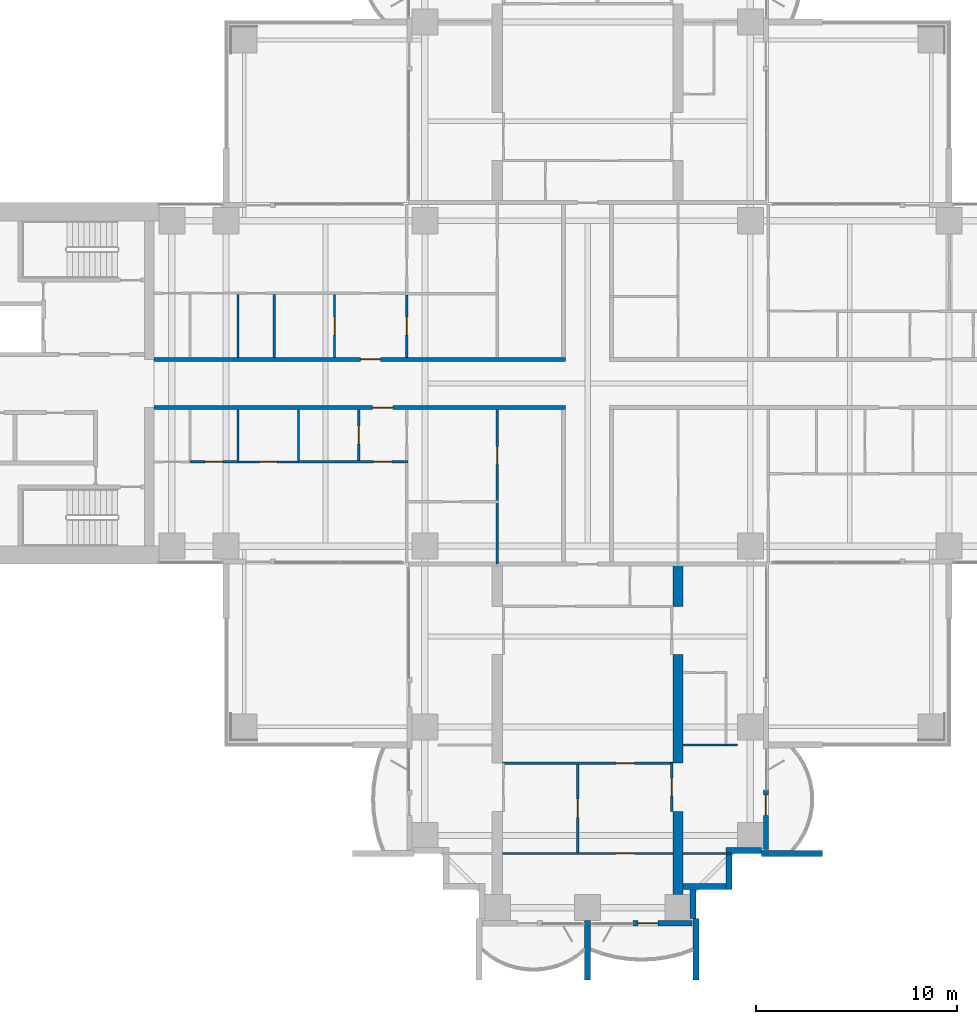
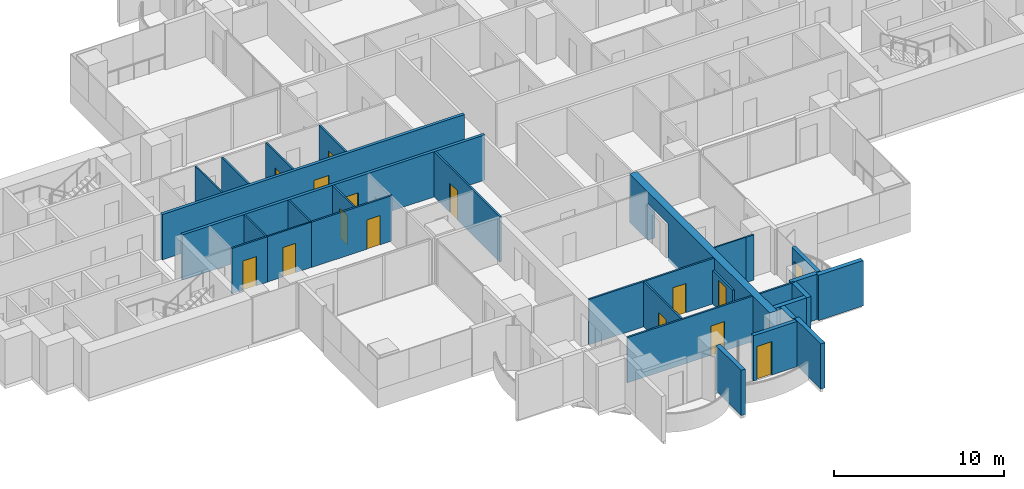
# One storey, part 11 of 20: 30 walls, 15 doors, 15 openings.
"""IFC4 building model written with IfcOpenShell, lengths in metres."""

from ifc_helpers import new_model, si_unit, direction, frame, frame_2d, origin, place, context, subcontext, project, spatial, polyline, rectangle, outline, extrude, material, layer, layer_set, material_profile, profile_set, type_object, element, fill, save


model = new_model("IFC4")

# Units and contexts
model_context = context("Model", 3, precision=1e-05, world=origin(), true_north=direction((0.0, 1.0)))
body_context = subcontext(model_context, "Body", "Model", "MODEL_VIEW")
ifc_project = project(units=[si_unit("LENGTHUNIT", "METRE"), si_unit("AREAUNIT", "SQUARE_METRE"), si_unit("VOLUMEUNIT", "CUBIC_METRE"), si_unit("PLANEANGLEUNIT", "RADIAN"), si_unit("MASSUNIT", "GRAM", prefix="KILO")], contexts=[model_context])

# Site, building, storey
site_placement = place(None, origin())
site = spatial("IfcSite", under=ifc_project, at=site_placement, CompositionType="ELEMENT")
building_placement = place(site_placement, origin())
building = spatial("IfcBuilding", under=site, at=building_placement, Name="Perihelion Cross Residences", CompositionType="ELEMENT")
storey_placement = place(building_placement, frame((0.0, 0.0, 68.0)))
storey = spatial("IfcBuildingStorey", under=building, at=storey_placement, Name="L14", CompositionType="ELEMENT", Elevation=68.0)

# Wall, opening, door
ifc_material_1 = material(Name="Plasterboard partition")
ifc_layer_1 = layer(ifc_material_1, 0.199951171875)
ifc_layer_set_1 = layer_set([ifc_layer_1], Name="Apartment separation wall 200")
wall_type_1 = type_object("IfcWallType", Name="Apartment separation wall 200", PredefinedType="PARTITIONING", material=ifc_layer_set_1)
wall_1_placement = place(storey_placement, frame((-21.60009765625, 1.199951171875, 0.0), z_axis=(0.0, 0.0, 1.0), x_axis=(1.0, 0.0, 0.0)))
wall_1 = element("IfcWall", 1, at=wall_1_placement, inside=storey, type_object=wall_type_1, Name="Partition L14 W005", PredefinedType="PARTITIONING", context=body_context, shape_type="SweptSolid", body=[
    extrude(rectangle(XDim=20.5, YDim=0.199951171875, at=frame_2d((10.25, 0.0))), origin(), (0.0, 0.0, 1.0), 3.25),
])
opening_1_placement = place(wall_1_placement, frame((10.300048828125, 0.0, 0.0)))
opening_1 = element("IfcOpeningElement", 2, at=opening_1_placement, cuts=wall_1, Name="Opening L14.A48", PredefinedType="OPENING", context=body_context, shape_type="SweptSolid", body=[
    extrude(rectangle(XDim=1.0, YDim=2.10009765625, at=frame_2d((0.5, 1.050048828125))), frame((0.0, 0.10986328125, 0.0), z_axis=(0.0, -1.0, 0.0), x_axis=(1.0, 0.0, 0.0)), (0.0, 0.0, 1.0), 0.219970703125),
])
ifc_material_2 = material(Name="Timber door leaf", Category="wood")
door_type_1 = type_object("IfcDoorType", Name="Flat entrance door 1000 x 2100", OperationType="SINGLE_SWING_LEFT", PredefinedType="DOOR", material=ifc_material_2)
door_1_placement = place(opening_1_placement, origin())
door_1 = element("IfcDoor", 3, at=door_1_placement, inside=storey, type_object=door_type_1, Name="Door L14.A48", OperationType="SINGLE_SWING_RIGHT", OverallHeight=2.10009765625, OverallWidth=1.0, PredefinedType="DOOR", context=body_context, shape_type="SweptSolid", body=[
    extrude(rectangle(XDim=1.0, YDim=2.10009765625, at=frame_2d((0.5, 1.050048828125))), frame((0.0, 0.02490234375, 0.0), z_axis=(0.0, -1.0, 0.0), x_axis=(1.0, 0.0, 0.0)), (0.0, 0.0, 1.0), 0.050048828125),
])
fill(opening_1, door_1)

wall_2_placement = place(storey_placement, frame((-1.10009765625, -1.199951171875, 0.0), z_axis=(0.0, 0.0, 1.0), x_axis=(-1.0, 0.0, 0.0)))
wall_2 = element("IfcWall", 4, at=wall_2_placement, inside=storey, type_object=wall_type_1, Name="Partition L14 W007", PredefinedType="PARTITIONING", context=body_context, shape_type="SweptSolid", body=[
    extrude(rectangle(XDim=20.5, YDim=0.199951171875, at=frame_2d((10.25, 0.0))), origin(), (0.0, 0.0, 1.0), 3.25),
])
opening_2_placement = place(wall_2_placement, frame((8.60009765625, 0.0, 0.0)))
opening_2 = element("IfcOpeningElement", 5, at=opening_2_placement, cuts=wall_2, Name="Opening L14.A49", PredefinedType="OPENING", context=body_context, shape_type="SweptSolid", body=[
    extrude(rectangle(XDim=1.0, YDim=2.10009765625, at=frame_2d((0.5, 1.050048828125))), frame((0.0, 0.10986328125, 0.0), z_axis=(0.0, -1.0, 0.0), x_axis=(1.0, 0.0, 0.0)), (0.0, 0.0, 1.0), 0.219970703125),
])
door_2_placement = place(opening_2_placement, origin())
door_2 = element("IfcDoor", 6, at=door_2_placement, inside=storey, type_object=door_type_1, Name="Door L14.A49", OperationType="SINGLE_SWING_LEFT", OverallHeight=2.10009765625, OverallWidth=1.0, PredefinedType="DOOR", context=body_context, shape_type="SweptSolid", body=[
    extrude(rectangle(XDim=1.0, YDim=2.10009765625, at=frame_2d((0.5, 1.050048828125))), frame((0.0, 0.02490234375, 0.0), z_axis=(0.0, -1.0, 0.0), x_axis=(1.0, 0.0, 0.0)), (0.0, 0.0, 1.0), 0.050048828125),
])
fill(opening_2, door_2)

ifc_material_3 = material(Name="Concrete C30/37, bronze-clad", Category="concrete")
ifc_layer_2 = layer(ifc_material_3, 0.25)
ifc_layer_set_2 = layer_set([ifc_layer_2], Name="Bronze-clad pier wall 250")
wall_type_2 = type_object("IfcWallType", Name="Bronze-clad pier wall 250", PredefinedType="SOLIDWALL", material=ifc_layer_set_2)
wall_3_placement = place(storey_placement, frame((2.25, -26.875, 0.0), z_axis=(0.0, 0.0, 1.0), x_axis=(1.0, 0.0, 0.0)))
wall_3 = element("IfcWall", 7, at=wall_3_placement, inside=storey, type_object=wall_type_2, Name="Wall FW1 L14 south tip south bay 2 pier", PredefinedType="SOLIDWALL", context=body_context, shape_type="SweptSolid", body=[
    extrude(rectangle(XDim=2.949951171875, YDim=0.25, at=frame_2d((1.47509765625, 0.0))), origin(), (0.0, 0.0, 1.0), 3.25),
])
opening_3_placement = place(wall_3_placement, frame((0.25, 0.0, 0.0)))
opening_3 = element("IfcOpeningElement", 8, at=opening_3_placement, cuts=wall_3, Name="Opening L14.E13", PredefinedType="OPENING", context=body_context, shape_type="SweptSolid", body=[
    extrude(rectangle(XDim=1.0, YDim=2.39990234375, at=frame_2d((0.5, 1.199951171875))), frame((0.0, 0.135009765625, 0.0), z_axis=(0.0, -1.0, 0.0), x_axis=(1.0, 0.0, 0.0)), (0.0, 0.0, 1.0), 0.27001953125),
])
ifc_material_4 = material(Name="Bronze anodised aluminium, glazed", Category="aluminium")
door_type_2 = type_object("IfcDoorType", Name="Balcony door 1000 x 2400", OperationType="NOTDEFINED", PredefinedType="DOOR", material=ifc_material_4)
door_3_placement = place(opening_3_placement, origin())
door_3 = element("IfcDoor", 9, at=door_3_placement, inside=storey, type_object=door_type_2, Name="Door L14.E13 south tip south bay 2", OperationType="SINGLE_SWING_RIGHT", OverallHeight=2.39990234375, OverallWidth=1.0, PredefinedType="DOOR", context=body_context, shape_type="SweptSolid", body=[
    extrude(rectangle(XDim=1.0, YDim=2.39990234375, at=frame_2d((0.5, 1.199951171875))), frame((0.0, 0.02490234375, 0.0), z_axis=(0.0, -1.0, 0.0), x_axis=(1.0, 0.0, 0.0)), (0.0, 0.0, 1.0), 0.050048828125),
])
fill(opening_3, door_3)

wall_4_placement = place(storey_placement, frame((8.875, -23.199951171875, 0.0), z_axis=(0.0, 0.0, 1.0), x_axis=(0.0, 1.0, 0.0)))
wall_4 = element("IfcWall", 10, at=wall_4_placement, inside=storey, type_object=wall_type_2, Name="Wall FW1 L14 south side east bay 1 pier", PredefinedType="SOLIDWALL", context=body_context, shape_type="SweptSolid", body=[
    extrude(rectangle(XDim=2.949951171875, YDim=0.25, at=frame_2d((1.47509765625, 0.0))), origin(), (0.0, 0.0, 1.0), 3.25),
])
opening_4_placement = place(wall_4_placement, frame((1.699951171875, 0.0, 0.0)))
opening_4 = element("IfcOpeningElement", 11, at=opening_4_placement, cuts=wall_4, Name="Opening L14.E14", PredefinedType="OPENING", context=body_context, shape_type="SweptSolid", body=[
    extrude(rectangle(XDim=1.0, YDim=2.39990234375, at=frame_2d((0.5, 1.199951171875))), frame((0.0, 0.135009765625, 0.0), z_axis=(0.0, -1.0, 0.0), x_axis=(1.0, 0.0, 0.0)), (0.0, 0.0, 1.0), 0.27001953125),
])
door_4_placement = place(opening_4_placement, origin())
door_4 = element("IfcDoor", 12, at=door_4_placement, inside=storey, type_object=door_type_2, Name="Door L14.E14 south side east bay 1", OperationType="SINGLE_SWING_LEFT", OverallHeight=2.39990234375, OverallWidth=1.0, PredefinedType="DOOR", context=body_context, shape_type="SweptSolid", body=[
    extrude(rectangle(XDim=1.0, YDim=2.39990234375, at=frame_2d((0.5, 1.199951171875))), frame((0.0, 0.02490234375, 0.0), z_axis=(0.0, -1.0, 0.0), x_axis=(1.0, 0.0, 0.0)), (0.0, 0.0, 1.0), 0.050048828125),
])
fill(opening_4, door_4)

# Walls
ifc_material_5 = material(Name="Concrete C30/37, bronze-clad", Category="concrete")
ifc_layer_3 = layer(ifc_material_5, 0.300048828125)
ifc_layer_set_3 = layer_set([ifc_layer_3], Name="Bronze-clad serration wall 300")
wall_type_3 = type_object("IfcWallType", Name="Bronze-clad serration wall 300", PredefinedType="SOLIDWALL", material=ifc_layer_set_3)
wall_5_placement = place(storey_placement, frame((5.25, -26.64990234375, 0.0), z_axis=(0.0, 0.0, 1.0), x_axis=(0.0, 1.0, 0.0)))
element("IfcWall", 13, at=wall_5_placement, inside=storey, type_object=wall_type_3, Name="Wall SR1 L14 south corner south-east 1", PredefinedType="SOLIDWALL", context=body_context, shape_type="SweptSolid", body=[
    extrude(rectangle(XDim=1.449951171875, YDim=0.300048828125, at=frame_2d((0.72509765625, 0.0))), origin(), (0.0, 0.0, 1.0), 3.25),
])
wall_6_placement = place(storey_placement, frame((4.75, -25.050048828125, 0.0), z_axis=(0.0, 0.0, 1.0), x_axis=(1.0, 0.0, 0.0)))
element("IfcWall", 14, at=wall_6_placement, inside=storey, type_object=wall_type_3, Name="Wall SR1 L14 south corner south-east 2", PredefinedType="SOLIDWALL", context=body_context, shape_type="SweptSolid", body=[
    extrude(rectangle(XDim=2.14990234375, YDim=0.300048828125, at=frame_2d((1.074951171875, 0.0))), origin(), (0.0, 0.0, 1.0), 3.25),
])
wall_7_placement = place(storey_placement, frame((7.050048828125, -25.199951171875, 0.0), z_axis=(0.0, 0.0, 1.0), x_axis=(0.0, 1.0, 0.0)))
element("IfcWall", 15, at=wall_7_placement, inside=storey, type_object=wall_type_3, Name="Wall SR1 L14 south corner south-east 3", PredefinedType="SOLIDWALL", context=body_context, shape_type="SweptSolid", body=[
    extrude(rectangle(XDim=1.800048828125, YDim=0.300048828125, at=frame_2d((0.89990234375, 0.0))), origin(), (0.0, 0.0, 1.0), 3.25),
])
wall_8_placement = place(storey_placement, frame((6.89990234375, -23.25, 0.0), z_axis=(0.0, 0.0, 1.0), x_axis=(1.0, 0.0, 0.0)))
element("IfcWall", 16, at=wall_8_placement, inside=storey, type_object=wall_type_3, Name="Wall SR1 L14 south corner south-east 4", PredefinedType="SOLIDWALL", context=body_context, shape_type="SweptSolid", body=[
    extrude(rectangle(XDim=1.75, YDim=0.300048828125, at=frame_2d((0.875, 0.0))), origin(), (0.0, 0.0, 1.0), 3.25),
])

# Wall, opening, door
ifc_material_6 = material(Name="Plasterboard partition")
ifc_layer_4 = layer(ifc_material_6, 0.1201171875)
ifc_layer_set_4 = layer_set([ifc_layer_4], Name="Infill panel 120")
wall_type_4 = type_object("IfcWallType", Name="Infill panel 120", PredefinedType="PARTITIONING", material=ifc_layer_set_4)
wall_9_placement = place(storey_placement, frame((4.18994140625, -18.89990234375, 0.0), z_axis=(0.0, 0.0, 1.0), x_axis=(0.0, -1.0, 0.0)))
wall_9 = element("IfcWall", 17, at=wall_9_placement, inside=storey, type_object=wall_type_4, Name="Partition L14 WI06", PredefinedType="PARTITIONING", context=body_context, shape_type="SweptSolid", body=[
    extrude(rectangle(XDim=2.400146484375, YDim=0.1201171875, at=frame_2d((1.2001953125, 0.0))), origin(), (0.0, 0.0, 1.0), 2.39990234375),
])
opening_5_placement = place(wall_9_placement, frame((0.75, 0.0, 0.0)))
opening_5 = element("IfcOpeningElement", 18, at=opening_5_placement, cuts=wall_9, Name="Opening L14.A55", PredefinedType="OPENING", context=body_context, shape_type="SweptSolid", body=[
    extrude(rectangle(XDim=0.89990234375, YDim=2.10009765625, at=frame_2d((0.449951171875, 1.050048828125))), frame((0.0, 0.070068359375, 0.0), z_axis=(0.0, -1.0, 0.0), x_axis=(1.0, 0.0, 0.0)), (0.0, 0.0, 1.0), 0.14013671875),
])
ifc_material_7 = material(Name="Timber door leaf", Category="wood")
door_type_3 = type_object("IfcDoorType", Name="Interior room door 900 x 2100", OperationType="SINGLE_SWING_LEFT", PredefinedType="DOOR", material=ifc_material_7)
door_5_placement = place(opening_5_placement, origin())
door_5 = element("IfcDoor", 19, at=door_5_placement, inside=storey, type_object=door_type_3, Name="Door L14.A55", OperationType="SINGLE_SWING_RIGHT", OverallHeight=2.10009765625, OverallWidth=0.89990234375, PredefinedType="DOOR", context=body_context, shape_type="SweptSolid", body=[
    extrude(rectangle(XDim=0.89990234375, YDim=2.10009765625, at=frame_2d((0.449951171875, 1.050048828125))), frame((0.0, 0.02490234375, 0.0), z_axis=(0.0, -1.0, 0.0), x_axis=(1.0, 0.0, 0.0)), (0.0, 0.0, 1.0), 0.050048828125),
])
fill(opening_5, door_5)

ifc_material_8 = material(Name="Plasterboard partition")
ifc_layer_5 = layer(ifc_material_8, 0.1201171875)
ifc_layer_set_5 = layer_set([ifc_layer_5], Name="Partition wall 120")
wall_type_5 = type_object("IfcWallType", Name="Partition wall 120", PredefinedType="PARTITIONING", material=ifc_layer_set_5)
wall_10_placement = place(storey_placement, frame((-12.60009765625, 1.300048828125, 0.0), z_axis=(0.0, 0.0, 1.0), x_axis=(0.0, 1.0, 0.0)))
wall_10 = element("IfcWall", 20, at=wall_10_placement, inside=storey, type_object=wall_type_5, Name="Partition L14 W031", PredefinedType="PARTITIONING", context=body_context, shape_type="SweptSolid", body=[
    extrude(rectangle(XDim=3.139892578125, YDim=0.1201171875, at=frame_2d((1.56982421875, 0.0))), origin(), (0.0, 0.0, 1.0), 3.25),
])
opening_6_placement = place(wall_10_placement, frame((1.1201171875, 0.0, 0.0)))
opening_6 = element("IfcOpeningElement", 21, at=opening_6_placement, cuts=wall_10, Name="Opening L14.A18", PredefinedType="OPENING", context=body_context, shape_type="SweptSolid", body=[
    extrude(rectangle(XDim=0.89990234375, YDim=2.10009765625, at=frame_2d((0.449951171875, 1.050048828125))), frame((0.0, 0.070068359375, 0.0), z_axis=(0.0, -1.0, 0.0), x_axis=(1.0, 0.0, 0.0)), (0.0, 0.0, 1.0), 0.14013671875),
])
door_6_placement = place(opening_6_placement, origin())
door_6 = element("IfcDoor", 22, at=door_6_placement, inside=storey, type_object=door_type_3, Name="Door L14.A18", OperationType="SINGLE_SWING_RIGHT", OverallHeight=2.10009765625, OverallWidth=0.89990234375, PredefinedType="DOOR", context=body_context, shape_type="SweptSolid", body=[
    extrude(rectangle(XDim=0.89990234375, YDim=2.10009765625, at=frame_2d((0.449951171875, 1.050048828125))), frame((0.0, 0.02490234375, 0.0), z_axis=(0.0, -1.0, 0.0), x_axis=(1.0, 0.0, 0.0)), (0.0, 0.0, 1.0), 0.050048828125),
])
fill(opening_6, door_6)

wall_11_placement = place(storey_placement, frame((-9.0, 4.416015625, 0.0), z_axis=(0.0, 0.0, 1.0), x_axis=(0.0, -1.0, 0.0)))
wall_11 = element("IfcWall", 23, at=wall_11_placement, inside=storey, type_object=wall_type_5, Name="Partition L14 W033", PredefinedType="PARTITIONING", context=body_context, shape_type="SweptSolid", body=[
    extrude(rectangle(XDim=3.115966796875, YDim=0.1201171875, at=frame_2d((1.55810546875, 0.0))), origin(), (0.0, 0.0, 1.0), 3.25),
])
opening_7_placement = place(wall_11_placement, frame((1.10791015625, 0.0, 0.0)))
opening_7 = element("IfcOpeningElement", 24, at=opening_7_placement, cuts=wall_11, Name="Opening L14.A19", PredefinedType="OPENING", context=body_context, shape_type="SweptSolid", body=[
    extrude(rectangle(XDim=0.89990234375, YDim=2.10009765625, at=frame_2d((0.449951171875, 1.050048828125))), frame((0.0, 0.070068359375, 0.0), z_axis=(0.0, -1.0, 0.0), x_axis=(1.0, 0.0, 0.0)), (0.0, 0.0, 1.0), 0.14013671875),
])
door_7_placement = place(opening_7_placement, origin())
door_7 = element("IfcDoor", 25, at=door_7_placement, inside=storey, type_object=door_type_3, Name="Door L14.A19", OperationType="SINGLE_SWING_RIGHT", OverallHeight=2.10009765625, OverallWidth=0.89990234375, PredefinedType="DOOR", context=body_context, shape_type="SweptSolid", body=[
    extrude(rectangle(XDim=0.89990234375, YDim=2.10009765625, at=frame_2d((0.449951171875, 1.050048828125))), frame((0.0, 0.02490234375, 0.0), z_axis=(0.0, -1.0, 0.0), x_axis=(1.0, 0.0, 0.0)), (0.0, 0.0, 1.0), 0.050048828125),
])
fill(opening_7, door_7)

# Wall
wall_12_placement = place(storey_placement, frame((-15.60009765625, 1.300048828125, 0.0), z_axis=(0.0, 0.0, 1.0), x_axis=(0.0, 1.0, 0.0)))
element("IfcWall", 26, at=wall_12_placement, inside=storey, type_object=wall_type_5, Name="Partition L14 W034", PredefinedType="PARTITIONING", context=body_context, shape_type="SweptSolid", body=[
    extrude(rectangle(XDim=3.139892578125, YDim=0.1201171875, at=frame_2d((1.56982421875, 0.0))), origin(), (0.0, 0.0, 1.0), 3.25),
])

# Wall, opening, door
wall_13_placement = place(storey_placement, frame((-11.39990234375, -3.840087890625, 0.0), z_axis=(0.0, 0.0, 1.0), x_axis=(0.0, 1.0, 0.0)))
wall_13 = element("IfcWall", 27, at=wall_13_placement, inside=storey, type_object=wall_type_5, Name="Partition L14 W042", PredefinedType="PARTITIONING", context=body_context, shape_type="SweptSolid", body=[
    extrude(rectangle(XDim=2.5400390625, YDim=0.1201171875, at=frame_2d((1.27001953125, 0.0))), origin(), (0.0, 0.0, 1.0), 3.25),
])
opening_8_placement = place(wall_13_placement, frame((0.820068359375, 0.0, 0.0)))
opening_8 = element("IfcOpeningElement", 28, at=opening_8_placement, cuts=wall_13, Name="Opening L14.A27", PredefinedType="OPENING", context=body_context, shape_type="SweptSolid", body=[
    extrude(rectangle(XDim=0.89990234375, YDim=2.10009765625, at=frame_2d((0.449951171875, 1.050048828125))), frame((0.0, 0.070068359375, 0.0), z_axis=(0.0, -1.0, 0.0), x_axis=(1.0, 0.0, 0.0)), (0.0, 0.0, 1.0), 0.14013671875),
])
door_8_placement = place(opening_8_placement, origin())
door_8 = element("IfcDoor", 29, at=door_8_placement, inside=storey, type_object=door_type_3, Name="Door L14.A27", OperationType="SINGLE_SWING_LEFT", OverallHeight=2.10009765625, OverallWidth=0.89990234375, PredefinedType="DOOR", context=body_context, shape_type="SweptSolid", body=[
    extrude(rectangle(XDim=0.89990234375, YDim=2.10009765625, at=frame_2d((0.449951171875, 1.050048828125))), frame((0.0, 0.02490234375, 0.0), z_axis=(0.0, -1.0, 0.0), x_axis=(1.0, 0.0, 0.0)), (0.0, 0.0, 1.0), 0.050048828125),
])
fill(opening_8, door_8)

wall_14_placement = place(storey_placement, frame((-8.93994140625, -3.89990234375, 0.0), z_axis=(0.0, 0.0, 1.0), x_axis=(-1.0, 0.0, 0.0)))
wall_14 = element("IfcWall", 30, at=wall_14_placement, inside=storey, type_object=wall_type_5, Name="Partition L14 W043", PredefinedType="PARTITIONING", context=body_context, shape_type="SweptSolid", body=[
    extrude(rectangle(XDim=5.4599609375, YDim=0.1201171875, at=frame_2d((2.72998046875, 0.0))), origin(), (0.0, 0.0, 1.0), 3.25),
])
opening_9_placement = place(wall_14_placement, frame((0.81005859375, 0.0, 0.0)))
opening_9 = element("IfcOpeningElement", 31, at=opening_9_placement, cuts=wall_14, Name="Opening L14.A30", PredefinedType="OPENING", context=body_context, shape_type="SweptSolid", body=[
    extrude(rectangle(XDim=0.89990234375, YDim=2.10009765625, at=frame_2d((0.449951171875, 1.050048828125))), frame((0.0, 0.070068359375, 0.0), z_axis=(0.0, -1.0, 0.0), x_axis=(1.0, 0.0, 0.0)), (0.0, 0.0, 1.0), 0.14013671875),
])
door_9_placement = place(opening_9_placement, origin())
door_9 = element("IfcDoor", 32, at=door_9_placement, inside=storey, type_object=door_type_3, Name="Door L14.A30", OperationType="SINGLE_SWING_LEFT", OverallHeight=2.10009765625, OverallWidth=0.89990234375, PredefinedType="DOOR", context=body_context, shape_type="SweptSolid", body=[
    extrude(rectangle(XDim=0.89990234375, YDim=2.10009765625, at=frame_2d((0.449951171875, 1.050048828125))), frame((0.0, 0.02490234375, 0.0), z_axis=(0.0, -1.0, 0.0), x_axis=(1.0, 0.0, 0.0)), (0.0, 0.0, 1.0), 0.050048828125),
])
fill(opening_9, door_9)

wall_15_placement = place(storey_placement, frame((-17.39990234375, -3.89990234375, 0.0), z_axis=(0.0, 0.0, 1.0), x_axis=(-1.0, 0.0, 0.0)))
wall_15 = element("IfcWall", 33, at=wall_15_placement, inside=storey, type_object=wall_type_5, Name="Partition L14 W049", PredefinedType="PARTITIONING", context=body_context, shape_type="SweptSolid", body=[
    extrude(rectangle(XDim=2.400146484375, YDim=0.1201171875, at=frame_2d((1.2001953125, 0.0))), origin(), (0.0, 0.0, 1.0), 3.25),
])
opening_10_placement = place(wall_15_placement, frame((0.75, 0.0, 0.0)))
opening_10 = element("IfcOpeningElement", 34, at=opening_10_placement, cuts=wall_15, Name="Opening L14.A31", PredefinedType="OPENING", context=body_context, shape_type="SweptSolid", body=[
    extrude(rectangle(XDim=0.89990234375, YDim=2.10009765625, at=frame_2d((0.449951171875, 1.050048828125))), frame((0.0, 0.070068359375, 0.0), z_axis=(0.0, -1.0, 0.0), x_axis=(1.0, 0.0, 0.0)), (0.0, 0.0, 1.0), 0.14013671875),
])
door_10_placement = place(opening_10_placement, origin())
door_10 = element("IfcDoor", 35, at=door_10_placement, inside=storey, type_object=door_type_3, Name="Door L14.A31", OperationType="SINGLE_SWING_LEFT", OverallHeight=2.10009765625, OverallWidth=0.89990234375, PredefinedType="DOOR", context=body_context, shape_type="SweptSolid", body=[
    extrude(rectangle(XDim=0.89990234375, YDim=2.10009765625, at=frame_2d((0.449951171875, 1.050048828125))), frame((0.0, 0.02490234375, 0.0), z_axis=(0.0, -1.0, 0.0), x_axis=(1.0, 0.0, 0.0)), (0.0, 0.0, 1.0), 0.050048828125),
])
fill(opening_10, door_10)

wall_16_placement = place(storey_placement, frame((-4.5, -1.300048828125, 0.0), z_axis=(0.0, 0.0, 1.0), x_axis=(0.0, -1.0, 0.0)))
wall_16 = element("IfcWall", 36, at=wall_16_placement, inside=storey, type_object=wall_type_5, Name="Partition L14 W052", PredefinedType="PARTITIONING", context=body_context, shape_type="SweptSolid", body=[
    extrude(rectangle(XDim=7.699951171875, YDim=0.1201171875, at=frame_2d((3.85009765625, 0.0))), origin(), (0.0, 0.0, 1.0), 3.25),
])
opening_11_placement = place(wall_16_placement, frame((1.840087890625, 0.0, 0.0)))
opening_11 = element("IfcOpeningElement", 37, at=opening_11_placement, cuts=wall_16, Name="Opening L14.A25", PredefinedType="OPENING", context=body_context, shape_type="SweptSolid", body=[
    extrude(rectangle(XDim=0.89990234375, YDim=2.10009765625, at=frame_2d((0.449951171875, 1.050048828125))), frame((0.0, 0.070068359375, 0.0), z_axis=(0.0, -1.0, 0.0), x_axis=(1.0, 0.0, 0.0)), (0.0, 0.0, 1.0), 0.14013671875),
])
door_11_placement = place(opening_11_placement, origin())
door_11 = element("IfcDoor", 38, at=door_11_placement, inside=storey, type_object=door_type_3, Name="Door L14.A25", OperationType="SINGLE_SWING_RIGHT", OverallHeight=2.10009765625, OverallWidth=0.89990234375, PredefinedType="DOOR", context=body_context, shape_type="SweptSolid", body=[
    extrude(rectangle(XDim=0.89990234375, YDim=2.10009765625, at=frame_2d((0.449951171875, 1.050048828125))), frame((0.0, 0.02490234375, 0.0), z_axis=(0.0, -1.0, 0.0), x_axis=(1.0, 0.0, 0.0)), (0.0, 0.0, 1.0), 0.050048828125),
])
fill(opening_11, door_11)

wall_17_placement = place(storey_placement, frame((4.25, -18.89990234375, 0.0), z_axis=(0.0, 0.0, 1.0), x_axis=(-1.0, 0.0, 0.0)))
wall_17 = element("IfcWall", 39, at=wall_17_placement, inside=storey, type_object=wall_type_5, Name="Partition L14 W069", PredefinedType="PARTITIONING", context=body_context, shape_type="SweptSolid", body=[
    extrude(rectangle(XDim=8.5, YDim=0.1201171875, at=frame_2d((4.25, 0.0))), origin(), (0.0, 0.0, 1.0), 3.25),
])
opening_12_placement = place(wall_17_placement, frame((1.925048828125, 0.0, 0.0)))
opening_12 = element("IfcOpeningElement", 40, at=opening_12_placement, cuts=wall_17, Name="Opening L14.A42", PredefinedType="OPENING", context=body_context, shape_type="SweptSolid", body=[
    extrude(rectangle(XDim=0.89990234375, YDim=2.10009765625, at=frame_2d((0.449951171875, 1.050048828125))), frame((0.0, 0.070068359375, 0.0), z_axis=(0.0, -1.0, 0.0), x_axis=(1.0, 0.0, 0.0)), (0.0, 0.0, 1.0), 0.14013671875),
])
door_12_placement = place(opening_12_placement, origin())
door_12 = element("IfcDoor", 41, at=door_12_placement, inside=storey, type_object=door_type_3, Name="Door L14.A42", OperationType="SINGLE_SWING_LEFT", OverallHeight=2.10009765625, OverallWidth=0.89990234375, PredefinedType="DOOR", context=body_context, shape_type="SweptSolid", body=[
    extrude(rectangle(XDim=0.89990234375, YDim=2.10009765625, at=frame_2d((0.449951171875, 1.050048828125))), frame((0.0, 0.02490234375, 0.0), z_axis=(0.0, -1.0, 0.0), x_axis=(1.0, 0.0, 0.0)), (0.0, 0.0, 1.0), 0.050048828125),
])
fill(opening_12, door_12)

wall_18_placement = place(storey_placement, frame((-0.5, -23.340087890625, 0.0), z_axis=(0.0, 0.0, 1.0), x_axis=(0.0, 1.0, 0.0)))
wall_18 = element("IfcWall", 42, at=wall_18_placement, inside=storey, type_object=wall_type_5, Name="Partition L14 W070", PredefinedType="PARTITIONING", context=body_context, shape_type="SweptSolid", body=[
    extrude(rectangle(XDim=4.380126953125, YDim=0.1201171875, at=frame_2d((2.18994140625, 0.0))), origin(), (0.0, 0.0, 1.0), 3.25),
])
opening_13_placement = place(wall_18_placement, frame((1.739990234375, 0.0, 0.0)))
opening_13 = element("IfcOpeningElement", 43, at=opening_13_placement, cuts=wall_18, Name="Opening L14.A43", PredefinedType="OPENING", context=body_context, shape_type="SweptSolid", body=[
    extrude(rectangle(XDim=0.89990234375, YDim=2.10009765625, at=frame_2d((0.449951171875, 1.050048828125))), frame((0.0, 0.070068359375, 0.0), z_axis=(0.0, -1.0, 0.0), x_axis=(1.0, 0.0, 0.0)), (0.0, 0.0, 1.0), 0.14013671875),
])
door_13_placement = place(opening_13_placement, origin())
door_13 = element("IfcDoor", 44, at=door_13_placement, inside=storey, type_object=door_type_3, Name="Door L14.A43", OperationType="SINGLE_SWING_RIGHT", OverallHeight=2.10009765625, OverallWidth=0.89990234375, PredefinedType="DOOR", context=body_context, shape_type="SweptSolid", body=[
    extrude(rectangle(XDim=0.89990234375, YDim=2.10009765625, at=frame_2d((0.449951171875, 1.050048828125))), frame((0.0, 0.02490234375, 0.0), z_axis=(0.0, -1.0, 0.0), x_axis=(1.0, 0.0, 0.0)), (0.0, 0.0, 1.0), 0.050048828125),
])
fill(opening_13, door_13)

wall_19_placement = place(storey_placement, frame((4.25, -23.39990234375, 0.0), z_axis=(0.0, 0.0, 1.0), x_axis=(-1.0, 0.0, 0.0)))
wall_19 = element("IfcWall", 45, at=wall_19_placement, inside=storey, type_object=wall_type_5, Name="Partition L14 W071", PredefinedType="PARTITIONING", context=body_context, shape_type="SweptSolid", body=[
    extrude(rectangle(XDim=8.5, YDim=0.1201171875, at=frame_2d((4.25, 0.0))), origin(), (0.0, 0.0, 1.0), 3.25),
])
opening_14_placement = place(wall_19_placement, frame((1.925048828125, 0.0, 0.0)))
opening_14 = element("IfcOpeningElement", 46, at=opening_14_placement, cuts=wall_19, Name="Opening L14.A44", PredefinedType="OPENING", context=body_context, shape_type="SweptSolid", body=[
    extrude(rectangle(XDim=0.89990234375, YDim=2.10009765625, at=frame_2d((0.449951171875, 1.050048828125))), frame((0.0, 0.070068359375, 0.0), z_axis=(0.0, -1.0, 0.0), x_axis=(1.0, 0.0, 0.0)), (0.0, 0.0, 1.0), 0.14013671875),
])
door_14_placement = place(opening_14_placement, origin())
door_14 = element("IfcDoor", 47, at=door_14_placement, inside=storey, type_object=door_type_3, Name="Door L14.A44", OperationType="SINGLE_SWING_RIGHT", OverallHeight=2.10009765625, OverallWidth=0.89990234375, PredefinedType="DOOR", context=body_context, shape_type="SweptSolid", body=[
    extrude(rectangle(XDim=0.89990234375, YDim=2.10009765625, at=frame_2d((0.449951171875, 1.050048828125))), frame((0.0, 0.02490234375, 0.0), z_axis=(0.0, -1.0, 0.0), x_axis=(1.0, 0.0, 0.0)), (0.0, 0.0, 1.0), 0.050048828125),
])
fill(opening_14, door_14)

# Walls
wall_20_placement = place(storey_placement, frame((7.449951171875, -18.0, 0.0), z_axis=(0.0, 0.0, 1.0), x_axis=(-1.0, 0.0, 0.0)))
element("IfcWall", 48, at=wall_20_placement, inside=storey, type_object=wall_type_5, Name="Partition L14 W074", PredefinedType="PARTITIONING", context=body_context, shape_type="SweptSolid", body=[
    extrude(rectangle(XDim=0.550048828125, YDim=0.1201171875, at=frame_2d((0.27490234375, 0.0))), origin(), (0.0, 0.0, 1.0), 3.25),
])
wall_21_placement = place(storey_placement, frame((7.1201171875, -23.39990234375, 0.0), z_axis=(0.0, 0.0, 1.0), x_axis=(-1.0, 0.0, 0.0)))
element("IfcWall", 49, at=wall_21_placement, inside=storey, type_object=wall_type_5, Name="Partition L14 W076", PredefinedType="PARTITIONING", context=body_context, shape_type="SweptSolid", body=[
    extrude(rectangle(XDim=2.3701171875, YDim=0.1201171875, at=frame_2d((1.18505859375, 0.0))), origin(), (0.0, 0.0, 1.0), 3.25),
])
ifc_material_9 = material(Name="Precast concrete C50/60", Category="concrete")
ifc_layer_6 = layer(ifc_material_9, 0.300048828125)
ifc_layer_set_6 = layer_set([ifc_layer_6], Name="Precast concrete C50/60 blade wall 300")
wall_type_6 = type_object("IfcWallType", Name="Precast concrete C50/60 blade wall 300", PredefinedType="SOLIDWALL", material=ifc_layer_set_6)
wall_22_placement = place(storey_placement, frame((0.0, -26.75, 0.0), z_axis=(0.0, 0.0, 1.0), x_axis=(0.0, -1.0, 0.0)))
element("IfcWall", 50, at=wall_22_placement, inside=storey, type_object=wall_type_6, Name="Wall BL1 L14 no. 9", PredefinedType="SOLIDWALL", context=body_context, shape_type="SweptSolid", body=[
    extrude(rectangle(XDim=2.949951171875, YDim=0.300048828125, at=frame_2d((1.47509765625, 0.0))), origin(), (0.0, 0.0, 1.0), 3.25),
])
for number, where, z_axis, x_axis, name in (
    (51, (5.39990234375, -26.64990234375, 0.0), (0.0, 0.0, 1.0), (0.0, -1.0, 0.0), "Wall BL1 L14 no. 13"),
    (52, (8.64990234375, -23.39990234375, 0.0), (0.0, 0.0, 1.0), (1.0, 0.0, 0.0), "Wall BL1 L14 no. 16"),
):
    element("IfcWall", number, at=place(storey_placement, frame(where, z_axis=z_axis, x_axis=x_axis)), inside=storey, type_object=wall_type_6, Name=name, PredefinedType="SOLIDWALL", context=body_context, shape_type="SweptSolid", body=[
        extrude(rectangle(XDim=3.050048828125, YDim=0.300048828125, at=frame_2d((1.52490234375, 0.0))), origin(), (0.0, 0.0, 1.0), 3.25),
    ])
ifc_material_10 = material(Name="Concrete C60/75", Category="concrete")
ifc_material_profile = material_profile(ifc_material_10, outline(polyline([(0.0, 0.0), (4.14990234375, 0.0), (4.14990234375, 2.64990234375), (6.550048828125, 2.64990234375), (6.550048828125, 0.0), (11.949951171875, 0.0), (11.949951171875, 2.64990234375), (14.35009765625, 2.64990234375), (14.35009765625, 0.0), (16.449951171875, 0.0), (16.449951171875, 3.5), (0.0, 3.5), (0.0, 0.0)])), Name="Tip spine wall")
ifc_profile_set = profile_set([ifc_material_profile], Name="Concrete C60/75")
wall_type_7 = type_object("IfcWallType", Name="Tip spine wall 500 with 2 door openings 16450 long 3500 high concrete C60/75 hand A", PredefinedType="SHEAR", material=ifc_profile_set)
wall_23_placement = place(storey_placement, frame((4.25, -25.449951171875, -0.25), z_axis=(1.0, 0.0, 0.0), x_axis=(0.0, 1.0, 0.0)))
element("IfcWall", 53, at=wall_23_placement, inside=storey, type_object=wall_type_7, Name="Shear wall SW24 L14 south east", PredefinedType="SHEAR", context=body_context, shape_type="SweptSolid", body=[
    extrude(outline(polyline([(0.0, 0.0), (4.14990234375, 0.0), (4.14990234375, 2.64990234375), (6.550048828125, 2.64990234375), (6.550048828125, 0.0), (11.949951171875, 0.0), (11.949951171875, 2.64990234375), (14.35009765625, 2.64990234375), (14.35009765625, 0.0), (16.449951171875, 0.0), (16.449951171875, 3.5), (0.0, 3.5), (0.0, 0.0)])), origin(), (0.0, 0.0, 1.0), 0.5),
])
ifc_material_11 = material(Name="Plasterboard partition")
ifc_layer_7 = layer(ifc_material_11, 0.10009765625)
ifc_layer_set_7 = layer_set([ifc_layer_7], Name="Wet room wall 100")
wall_type_8 = type_object("IfcWallType", Name="Wet room wall 100", PredefinedType="PARTITIONING", material=ifc_layer_set_7)
wall_24_placement = place(storey_placement, frame((-17.39990234375, 1.300048828125, 0.0), z_axis=(0.0, 0.0, 1.0), x_axis=(0.0, 1.0, 0.0)))
element("IfcWall", 54, at=wall_24_placement, inside=storey, type_object=wall_type_8, Name="Partition L14 W035", PredefinedType="PARTITIONING", context=body_context, shape_type="SweptSolid", body=[
    extrude(rectangle(XDim=3.139892578125, YDim=0.10009765625, at=frame_2d((1.56982421875, 0.0))), origin(), (0.0, 0.0, 1.0), 3.25),
])
for number, where, z_axis, x_axis, name in (
    (55, (-14.39990234375, -3.840087890625, 0.0), (0.0, 0.0, 1.0), (0.0, 1.0, 0.0), "Partition L14 W045"),
    (56, (-17.39990234375, -3.840087890625, 0.0), (0.0, 0.0, 1.0), (0.0, 1.0, 0.0), "Partition L14 W046"),
):
    element("IfcWall", number, at=place(storey_placement, frame(where, z_axis=z_axis, x_axis=x_axis)), inside=storey, type_object=wall_type_8, Name=name, PredefinedType="PARTITIONING", context=body_context, shape_type="SweptSolid", body=[
        extrude(rectangle(XDim=2.5400390625, YDim=0.10009765625, at=frame_2d((1.27001953125, 0.0))), origin(), (0.0, 0.0, 1.0), 3.25),
    ])

# Wall, opening, door
wall_25_placement = place(storey_placement, frame((-14.39990234375, -3.89990234375, 0.0), z_axis=(0.0, 0.0, 1.0), x_axis=(-1.0, 0.0, 0.0)))
wall_25 = element("IfcWall", 57, at=wall_25_placement, inside=storey, type_object=wall_type_8, Name="Partition L14 W047", PredefinedType="PARTITIONING", context=body_context, shape_type="SweptSolid", body=[
    extrude(rectangle(XDim=3.0, YDim=0.10009765625, at=frame_2d((1.5, 0.0))), origin(), (0.0, 0.0, 1.0), 3.25),
])
opening_15_placement = place(wall_25_placement, frame((1.074951171875, 0.0, 0.0)))
opening_15 = element("IfcOpeningElement", 58, at=opening_15_placement, cuts=wall_25, Name="Opening L14.A24", PredefinedType="OPENING", context=body_context, shape_type="SweptSolid", body=[
    extrude(rectangle(XDim=0.85009765625, YDim=2.10009765625, at=frame_2d((0.425048828125, 1.050048828125))), frame((0.0, 0.06005859375, 0.0), z_axis=(0.0, -1.0, 0.0), x_axis=(1.0, 0.0, 0.0)), (0.0, 0.0, 1.0), 0.1201171875),
])
ifc_material_12 = material(Name="Timber door leaf", Category="wood")
door_type_4 = type_object("IfcDoorType", Name="Interior bathroom door 850 x 2100", OperationType="SINGLE_SWING_LEFT", PredefinedType="DOOR", material=ifc_material_12)
door_15_placement = place(opening_15_placement, origin())
door_15 = element("IfcDoor", 59, at=door_15_placement, inside=storey, type_object=door_type_4, Name="Door L14.A24", OperationType="SINGLE_SWING_RIGHT", OverallHeight=2.10009765625, OverallWidth=0.85009765625, PredefinedType="DOOR", context=body_context, shape_type="SweptSolid", body=[
    extrude(rectangle(XDim=0.85009765625, YDim=2.10009765625, at=frame_2d((0.425048828125, 1.050048828125))), frame((0.0, 0.02490234375, 0.0), z_axis=(0.0, -1.0, 0.0), x_axis=(1.0, 0.0, 0.0)), (0.0, 0.0, 1.0), 0.050048828125),
])
fill(opening_15, door_15)

# Wall
wall_26_placement = place(storey_placement, frame((6.89990234375, -18.0, 0.0), z_axis=(0.0, 0.0, 1.0), x_axis=(-1.0, 0.0, 0.0)))
element("IfcWall", 60, at=wall_26_placement, inside=storey, type_object=wall_type_8, Name="Partition L14 W075", PredefinedType="PARTITIONING", context=body_context, shape_type="SweptSolid", body=[
    extrude(rectangle(XDim=2.14990234375, YDim=0.10009765625, at=frame_2d((1.074951171875, 0.0))), origin(), (0.0, 0.0, 1.0), 3.25),
])

save(model, "model.ifc")
